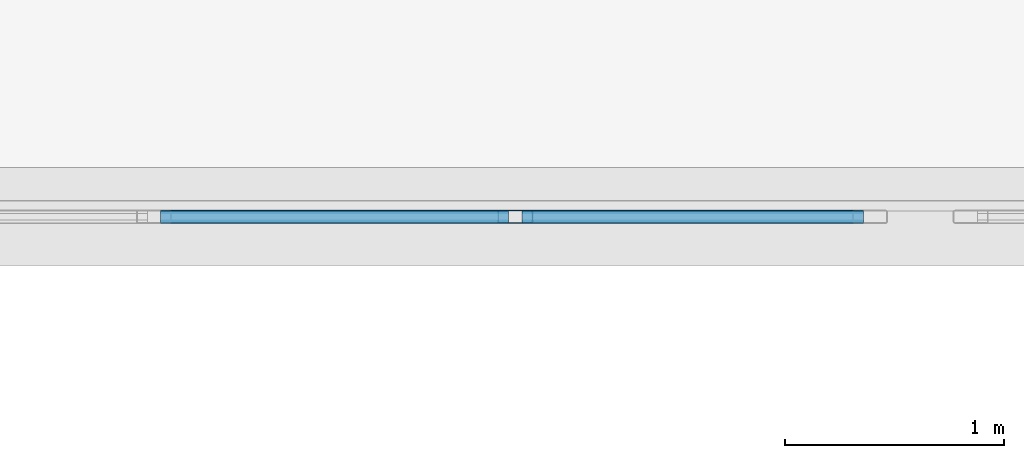
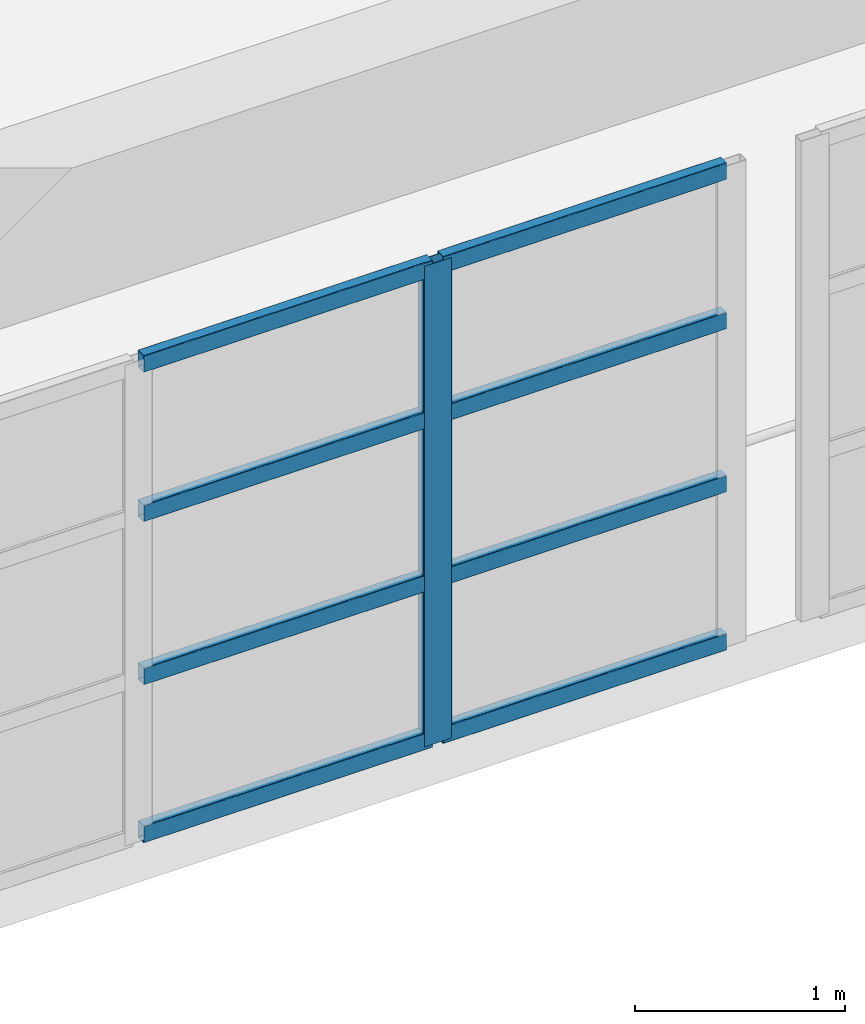
# One storey, part 12 of 101: 9 members, 1 element without a shape of its own.
"""IFC4 building model written with IfcOpenShell, lengths in metres."""

import ifcopenshell
import ifcopenshell.guid

model = None  # the IFC model being written
_history = None  # IfcOwnerHistory: only IFC2X3 demands one
_inside = {}  # id of a spatial element -> (the spatial element, [elements in it])
_under = {}  # id of a project, library or spatial element -> (it, [spatial elements below it])
_declared = {}  # id of a project -> (the project, [libraries it declares])
_typed = {}  # id of a type object -> (the type object, [elements of that type])
_made_of = {}  # id of a material, layer set ... -> (it, [elements and type objects made of it])


def new_model(schema):
    """Start an empty IFC model of exactly this schema.

    Asked for "IFC4X3", IfcOpenShell would pick the latest addendum, in which some entities
    have other attributes; the version numbers below select the first issue.
    IFC2X3 requires an IfcOwnerHistory on every rooted entity: one is made here for all.
    """
    global model, _history
    if schema == "IFC4X3":
        model = ifcopenshell.file(schema_version=(4, 3, 0, 0))
    else:
        model = ifcopenshell.file(schema=schema)
    _inside.clear()
    _under.clear()
    _declared.clear()
    _typed.clear()
    _made_of.clear()
    _history = None
    if model.schema == "IFC2X3":
        org = make("IfcOrganization", Name="unknown")
        user = make(
            "IfcPersonAndOrganization",
            ThePerson=make("IfcPerson", FamilyName="unknown"),
            TheOrganization=org,
        )
        app = make(
            "IfcApplication",
            ApplicationDeveloper=org,
            Version="unknown",
            ApplicationFullName="unknown",
            ApplicationIdentifier="unknown",
        )
        _history = make(
            "IfcOwnerHistory",
            OwningUser=user,
            OwningApplication=app,
            ChangeAction="ADDED",
            CreationDate=0,
        )
    return model


def make(cls, **values):
    """One entity of the class cls with the attributes given. An attribute that is None is left unset."""
    return model.create_entity(
        cls, **{name: value for name, value in values.items() if value is not None}
    )


def rooted(cls, **values):
    """An entity with a GlobalId (a new one), such as an element, a storey or a relation."""
    return make(cls, GlobalId=ifcopenshell.guid.new(), OwnerHistory=_history, **values)


def si_unit(unit_type, name, prefix=None):
    """IfcSIUnit, for example si_unit("LENGTHUNIT", "METRE", prefix="MILLI")."""
    return make("IfcSIUnit", UnitType=unit_type, Prefix=prefix, Name=name)


def assignment(units):
    """IfcUnitAssignment: the units of a project."""
    return None if units is None else make("IfcUnitAssignment", Units=units)


def point(xyz):
    """IfcCartesianPoint."""
    return None if xyz is None else make("IfcCartesianPoint", Coordinates=xyz)


def direction(xyz):
    """IfcDirection."""
    return None if xyz is None else make("IfcDirection", DirectionRatios=xyz)


def frame(location, z_axis=None, x_axis=None):
    """IfcAxis2Placement3D, a coordinate frame: its origin and axes. An axis left out is left unset."""
    return make(
        "IfcAxis2Placement3D",
        Location=point(location),
        Axis=direction(z_axis),
        RefDirection=direction(x_axis),
    )


def frame_2d(location, x_axis=None):
    """IfcAxis2Placement2D, a coordinate frame in the plane: its origin and x axis."""
    return make(
        "IfcAxis2Placement2D", Location=point(location), RefDirection=direction(x_axis)
    )


def origin():
    """The frame at (0, 0, 0) with its axes left unset."""
    return frame((0.0, 0.0, 0.0))


def origin_2d():
    """The frame at (0, 0) in the plane with its x axis left unset."""
    return frame_2d((0.0, 0.0))


def place(relative_to, where):
    """IfcLocalPlacement: puts the frame where relative to a parent placement (None: the world)."""
    return make(
        "IfcLocalPlacement", PlacementRelTo=relative_to, RelativePlacement=where
    )


def context(
    kind, dimensions, precision=None, world=None, true_north=None, identifier=None
):
    """IfcGeometricRepresentationContext, for example the 3D "Model" context."""
    return make(
        "IfcGeometricRepresentationContext",
        ContextIdentifier=identifier,
        ContextType=kind,
        CoordinateSpaceDimension=dimensions,
        Precision=precision,
        WorldCoordinateSystem=world,
        TrueNorth=true_north,
    )


def subcontext(parent, identifier, kind, view, scale=None):
    """IfcGeometricRepresentationSubContext, for example "Body" below "Model"."""
    return make(
        "IfcGeometricRepresentationSubContext",
        ContextIdentifier=identifier,
        ContextType=kind,
        ParentContext=parent,
        TargetScale=scale,
        TargetView=view,
    )


def project(units=None, contexts=None):
    """IfcProject with its units and contexts."""
    return rooted(
        "IfcProject",
        Name="project",
        RepresentationContexts=contexts,
        UnitsInContext=assignment(units),
    )


def spatial(cls, under=None, at=None, **own):
    """A site, building, storey or space (cls), placed at a placement, below another one or the project."""
    s = rooted(cls, ObjectPlacement=at, **own)
    if under is not None:
        _under.setdefault(under.id(), (under, []))[1].append(s)
    return s


def profile(cls, at=None, kind="AREA", **sizes):
    """A parametric profile (cls). Its sizes go by their IFC names, for example OverallWidth=200.0."""
    return make(cls, ProfileType=kind, Position=at, **sizes)


def hollow_rectangle(**sizes):
    """IfcRectangleHollowProfileDef."""
    return profile("IfcRectangleHollowProfileDef", **sizes)


def extrude(swept, where, along, depth):
    """IfcExtrudedAreaSolid: the profile swept, set in the frame where, extruded along a direction by depth."""
    return make(
        "IfcExtrudedAreaSolid",
        SweptArea=swept,
        Position=where,
        ExtrudedDirection=direction(along),
        Depth=depth,
    )


def shape(context_of_items, identifier, shape_type, items):
    """IfcShapeRepresentation: the items that make up one representation, for example the "Body"."""
    return make(
        "IfcShapeRepresentation",
        ContextOfItems=context_of_items,
        RepresentationIdentifier=identifier,
        RepresentationType=shape_type,
        Items=items,
    )


def material(Name=None, Category=None):
    """IfcMaterial."""
    return make("IfcMaterial", Name=Name, Category=Category)


def material_profile(
    of_material, cross_section, Name=None, Category=None, Priority=None
):
    """IfcMaterialProfile: a cross section and its material."""
    return make(
        "IfcMaterialProfile",
        Name=Name,
        Material=of_material,
        Profile=cross_section,
        Priority=Priority,
        Category=Category,
    )


def profile_set(profiles, Name=None, composite=None):
    """IfcMaterialProfileSet."""
    return make(
        "IfcMaterialProfileSet",
        Name=Name,
        MaterialProfiles=profiles,
        CompositeProfile=composite,
    )


def made_of(thing, what):
    """Note that an element or type object is made of a material, layer set ...; save() writes the relation."""
    if what is not None:
        _made_of.setdefault(what.id(), (what, []))[1].append(thing)
    return thing


def type_object(cls, material=None, **own):
    """A type object (cls), such as IfcWallType, which elements share."""
    return made_of(rooted(cls, **own), material)


def element(
    cls,
    number,
    at=None,
    inside=None,
    cuts=None,
    type_object=None,
    material=None,
    context=None,
    identifier="Body",
    shape_type=None,
    held_by="IfcProductDefinitionShape",
    body=None,
    shapes=None,
    **own,
):
    """One element of the class cls, such as IfcWall. Its Tag is "e" and its number.

    at: its placement. inside: the storey or other place that contains it. cuts: it is an
    opening in that element (IfcRelVoidsElement). A single representation is given by context,
    identifier, shape_type and body (its items); several are given by shapes. held_by: the class
    of the entity that holds the representations. save() writes the other relations.
    """
    e = rooted(cls, Tag="e%d" % number, ObjectPlacement=at, **own)
    if body is not None:
        shapes = [shape(context, identifier, shape_type, body)]
    if shapes is not None:
        e.Representation = make(held_by, Representations=shapes)
    if inside is not None:
        _inside.setdefault(inside.id(), (inside, []))[1].append(e)
    if cuts is not None:
        rooted(
            "IfcRelVoidsElement", RelatingBuildingElement=cuts, RelatedOpeningElement=e
        )
    if type_object is not None:
        _typed.setdefault(type_object.id(), (type_object, []))[1].append(e)
    return made_of(e, material)


def aggregate(whole, parts):
    """IfcRelAggregates: a whole, such as a stair, and the parts it consists of."""
    return rooted("IfcRelAggregates", RelatingObject=whole, RelatedObjects=parts)


def save(model, path):
    """Write the relations noted so far, then the file.

    IfcRelAggregates (storeys below a building ...), IfcRelContainedInSpatialStructure (elements
    in a storey), IfcRelDefinesByType, IfcRelAssociatesMaterial and IfcRelDeclares: one each for
    every whole, place, type object, material and project.
    """
    for whole, parts in _under.values():
        aggregate(whole, parts)
    for where, things in _inside.values():
        rooted(
            "IfcRelContainedInSpatialStructure",
            RelatedElements=things,
            RelatingStructure=where,
        )
    for kind, things in _typed.values():
        rooted("IfcRelDefinesByType", RelatedObjects=things, RelatingType=kind)
    for what, things in _made_of.values():
        rooted("IfcRelAssociatesMaterial", RelatedObjects=things, RelatingMaterial=what)
    for by, libraries in _declared.values():
        rooted("IfcRelDeclares", RelatingContext=by, RelatedDefinitions=libraries)
    model.write(path)


model = new_model("IFC4")

# Units and contexts
model_context = context("Model", 3, precision=1e-05, world=origin(), true_north=direction((0.0, 1.0)))
body_context = subcontext(model_context, "Body", "Model", "MODEL_VIEW")
ifc_project = project(units=[si_unit("LENGTHUNIT", "METRE"), si_unit("AREAUNIT", "SQUARE_METRE"), si_unit("VOLUMEUNIT", "CUBIC_METRE"), si_unit("PLANEANGLEUNIT", "RADIAN"), si_unit("MASSUNIT", "GRAM", prefix="KILO")], contexts=[model_context])

# Site, building, storey
site_placement = place(None, origin())
site = spatial("IfcSite", under=ifc_project, at=site_placement, CompositionType="ELEMENT")
building_placement = place(site_placement, origin())
building = spatial("IfcBuilding", under=site, at=building_placement, Name="Qasida Concert Hall", CompositionType="ELEMENT")
storey_placement = place(building_placement, frame((0.0, 0.0, 13.199951171875)))
storey = spatial("IfcBuildingStorey", under=building, at=storey_placement, Name="L03", CompositionType="ELEMENT", Elevation=13.199951171875)

# Curtain wall, members
ifc_material_1 = material(Name="Architectural bronze-anodized aluminium and low-E glass", Category="aluminium")
curtain_wall_type = type_object("IfcCurtainWallType", Name="CW-09", PredefinedType="NOTDEFINED", material=ifc_material_1)
curtain_wall_placement = place(storey_placement, origin())
curtain_wall = element("IfcCurtainWall", 1, at=curtain_wall_placement, inside=storey, type_object=curtain_wall_type, Name="L03 link bridge glazing 0206", PredefinedType="NOTDEFINED")
ifc_material_2 = material(Name="Architectural bronze-anodized aluminium EN AW-6063", Category="aluminium")
ifc_material_profile_1 = material_profile(ifc_material_2, hollow_rectangle(XDim=0.06005859375, YDim=0.159912109375, WallThickness=0.00390625, InnerFilletRadius=0.00390625, OuterFilletRadius=0.008056640625, at=origin_2d()), Name="CWM 160x60x4")
ifc_profile_set_1 = profile_set([ifc_material_profile_1], Name="Architectural bronze-anodized aluminium EN AW-6063")
member_type_1 = type_object("IfcMemberType", Name="MB-CWM-3", PredefinedType="MULLION", material=ifc_profile_set_1)
member_1_placement = place(storey_placement, frame((43.14990234375, 30.0, 0.0), z_axis=(0.0, 0.0, 1.0), x_axis=(0.0, 1.0, 0.0)))
member_1 = element("IfcMember", 2, at=member_1_placement, type_object=member_type_1, Name="CW-09 mullion 4", PredefinedType="MULLION", context=body_context, shape_type="SweptSolid", body=[
    extrude(hollow_rectangle(XDim=0.06005859375, YDim=0.159912109375, WallThickness=0.00390625, InnerFilletRadius=0.00390625, OuterFilletRadius=0.008056640625, at=origin_2d()), origin(), (0.0, 0.0, 1.0), 2.800048828125),
])
ifc_material_profile_2 = material_profile(ifc_material_2, hollow_rectangle(XDim=0.06005859375, YDim=0.10009765625, WallThickness=0.00341796875, InnerFilletRadius=0.00341796875, OuterFilletRadius=0.007080078125, at=origin_2d()), Name="CWT 100x60x3.5")
ifc_profile_set_2 = profile_set([ifc_material_profile_2], Name="Architectural bronze-anodized aluminium EN AW-6063")
member_type_2 = type_object("IfcMemberType", Name="MB-CWT-3", PredefinedType="USERDEFINED", material=ifc_profile_set_2)
member_2_placement = place(storey_placement, frame((41.530029296875, 30.0, 0.030029296875), z_axis=(1.0, 0.0, 0.0), x_axis=(0.0, 1.0, 0.0)))
member_2 = element("IfcMember", 3, at=member_2_placement, type_object=member_type_2, Name="CW-09 transom 3.1", ObjectType="TRANSOM", PredefinedType="USERDEFINED", context=body_context, shape_type="SweptSolid", body=[
    extrude(hollow_rectangle(XDim=0.06005859375, YDim=0.10009765625, WallThickness=0.00341796875, InnerFilletRadius=0.00341796875, OuterFilletRadius=0.007080078125, at=origin_2d()), origin(), (0.0, 0.0, 1.0), 1.590087890625),
])
member_3_placement = place(storey_placement, frame((41.530029296875, 30.0, 0.949951171875), z_axis=(1.0, 0.0, 0.0), x_axis=(0.0, 1.0, 0.0)))
member_3 = element("IfcMember", 4, at=member_3_placement, type_object=member_type_2, Name="CW-09 transom 3.2", ObjectType="TRANSOM", PredefinedType="USERDEFINED", context=body_context, shape_type="SweptSolid", body=[
    extrude(hollow_rectangle(XDim=0.06005859375, YDim=0.10009765625, WallThickness=0.00341796875, InnerFilletRadius=0.00341796875, OuterFilletRadius=0.007080078125, at=origin_2d()), origin(), (0.0, 0.0, 1.0), 1.590087890625),
])
member_4_placement = place(storey_placement, frame((41.530029296875, 30.0, 1.900146484375), z_axis=(1.0, 0.0, 0.0), x_axis=(0.0, 1.0, 0.0)))
member_4 = element("IfcMember", 5, at=member_4_placement, type_object=member_type_2, Name="CW-09 transom 3.3", ObjectType="TRANSOM", PredefinedType="USERDEFINED", context=body_context, shape_type="SweptSolid", body=[
    extrude(hollow_rectangle(XDim=0.06005859375, YDim=0.10009765625, WallThickness=0.00341796875, InnerFilletRadius=0.00341796875, OuterFilletRadius=0.007080078125, at=origin_2d()), origin(), (0.0, 0.0, 1.0), 1.590087890625),
])
member_5_placement = place(storey_placement, frame((41.530029296875, 30.0, 2.77001953125), z_axis=(1.0, 0.0, 0.0), x_axis=(0.0, 1.0, 0.0)))
member_5 = element("IfcMember", 6, at=member_5_placement, type_object=member_type_2, Name="CW-09 transom 3.4", ObjectType="TRANSOM", PredefinedType="USERDEFINED", context=body_context, shape_type="SweptSolid", body=[
    extrude(hollow_rectangle(XDim=0.06005859375, YDim=0.10009765625, WallThickness=0.00341796875, InnerFilletRadius=0.00341796875, OuterFilletRadius=0.007080078125, at=origin_2d()), origin(), (0.0, 0.0, 1.0), 1.590087890625),
])
member_6_placement = place(storey_placement, frame((43.179931640625, 30.0, 0.030029296875), z_axis=(1.0, 0.0, 0.0), x_axis=(0.0, 1.0, 0.0)))
member_6 = element("IfcMember", 7, at=member_6_placement, type_object=member_type_2, Name="CW-09 transom 4.1", ObjectType="TRANSOM", PredefinedType="USERDEFINED", context=body_context, shape_type="SweptSolid", body=[
    extrude(hollow_rectangle(XDim=0.06005859375, YDim=0.10009765625, WallThickness=0.00341796875, InnerFilletRadius=0.00341796875, OuterFilletRadius=0.007080078125, at=origin_2d()), origin(), (0.0, 0.0, 1.0), 1.56005859375),
])
member_7_placement = place(storey_placement, frame((43.179931640625, 30.0, 0.949951171875), z_axis=(1.0, 0.0, 0.0), x_axis=(0.0, 1.0, 0.0)))
member_7 = element("IfcMember", 8, at=member_7_placement, type_object=member_type_2, Name="CW-09 transom 4.2", ObjectType="TRANSOM", PredefinedType="USERDEFINED", context=body_context, shape_type="SweptSolid", body=[
    extrude(hollow_rectangle(XDim=0.06005859375, YDim=0.10009765625, WallThickness=0.00341796875, InnerFilletRadius=0.00341796875, OuterFilletRadius=0.007080078125, at=origin_2d()), origin(), (0.0, 0.0, 1.0), 1.56005859375),
])
member_8_placement = place(storey_placement, frame((43.179931640625, 30.0, 1.900146484375), z_axis=(1.0, 0.0, 0.0), x_axis=(0.0, 1.0, 0.0)))
member_8 = element("IfcMember", 9, at=member_8_placement, type_object=member_type_2, Name="CW-09 transom 4.3", ObjectType="TRANSOM", PredefinedType="USERDEFINED", context=body_context, shape_type="SweptSolid", body=[
    extrude(hollow_rectangle(XDim=0.06005859375, YDim=0.10009765625, WallThickness=0.00341796875, InnerFilletRadius=0.00341796875, OuterFilletRadius=0.007080078125, at=origin_2d()), origin(), (0.0, 0.0, 1.0), 1.56005859375),
])
member_9_placement = place(storey_placement, frame((43.179931640625, 30.0, 2.77001953125), z_axis=(1.0, 0.0, 0.0), x_axis=(0.0, 1.0, 0.0)))
member_9 = element("IfcMember", 10, at=member_9_placement, type_object=member_type_2, Name="CW-09 transom 4.4", ObjectType="TRANSOM", PredefinedType="USERDEFINED", context=body_context, shape_type="SweptSolid", body=[
    extrude(hollow_rectangle(XDim=0.06005859375, YDim=0.10009765625, WallThickness=0.00341796875, InnerFilletRadius=0.00341796875, OuterFilletRadius=0.007080078125, at=origin_2d()), origin(), (0.0, 0.0, 1.0), 1.56005859375),
])
aggregate(curtain_wall, [member_1, member_2, member_3, member_4, member_5, member_6, member_7, member_8, member_9])

save(model, "model.ifc")
